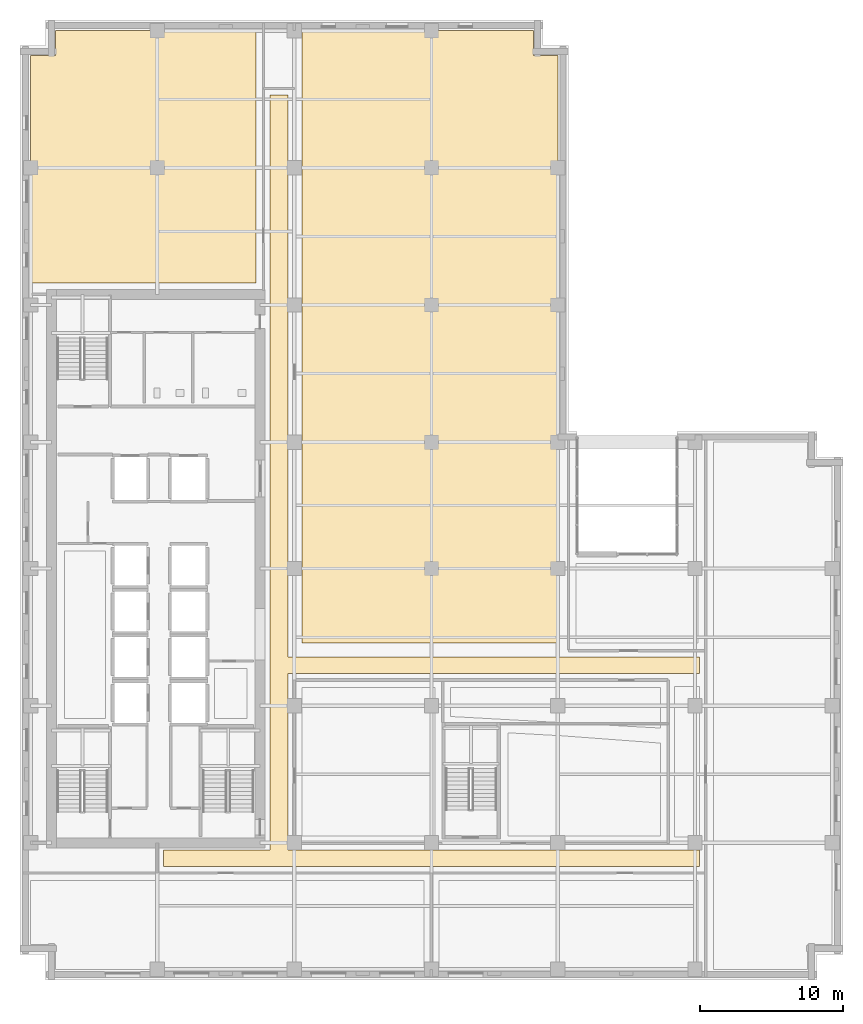
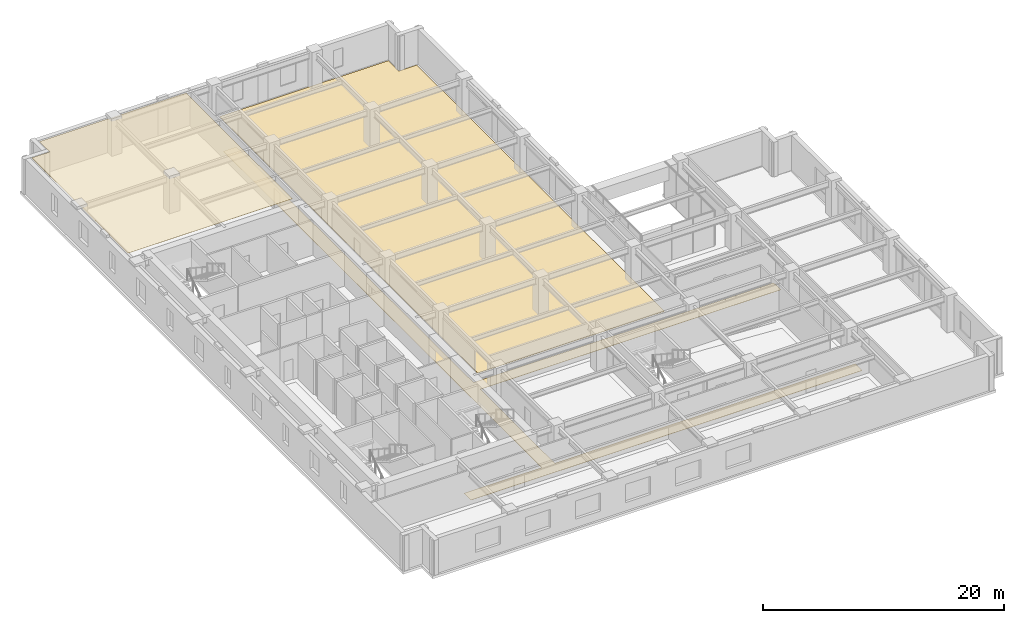
# One storey, part 13 of 14: 3 coverings.
"""IFC4 building model written with IfcOpenShell, lengths in metres."""

from ifc_helpers import new_model, si_unit, direction, frame, origin, place, context, subcontext, project, spatial, polyline, outline, extrude, material, layer, layer_set, type_object, element, save


model = new_model("IFC4")

# Units and contexts
model_context = context("Model", 3, precision=1e-05, world=origin(), true_north=direction((0.0, 1.0)))
body_context = subcontext(model_context, "Body", "Model", "MODEL_VIEW")
ifc_project = project(units=[si_unit("LENGTHUNIT", "METRE"), si_unit("AREAUNIT", "SQUARE_METRE"), si_unit("VOLUMEUNIT", "CUBIC_METRE"), si_unit("PLANEANGLEUNIT", "RADIAN"), si_unit("MASSUNIT", "GRAM", prefix="KILO")], contexts=[model_context])

# Site, building, storey
site_placement = place(None, origin())
site = spatial("IfcSite", under=ifc_project, at=site_placement, CompositionType="ELEMENT")
building_placement = place(site_placement, origin())
building = spatial("IfcBuilding", under=site, at=building_placement, Name="Norrvale University Quadrangle", CompositionType="ELEMENT")
storey_placement = place(building_placement, frame((0.0, 0.0, 116.60009765625)))
storey = spatial("IfcBuildingStorey", under=building, at=storey_placement, Name="L29", CompositionType="ELEMENT", Elevation=116.60009765625)

# Coverings
ifc_material_1 = material(Name="Perforated Acoustic Mineral Ceiling")
ifc_layer_1 = layer(ifc_material_1, 0.02490234375, Name="Perforated Acoustic Mineral Ceiling")
ifc_layer_set_1 = layer_set([ifc_layer_1], Name="Perforated Acoustic Mineral Ceiling")
covering_type_1 = type_object("IfcCoveringType", Name="Covering Acoustic Ceiling 25", PredefinedType="CEILING", material=ifc_layer_set_1)
covering_1_placement = place(storey_placement, frame((0.0, 0.0, 3.514892578125)))
element("IfcCovering", 1, at=covering_1_placement, inside=storey, type_object=covering_type_1, Name="Acoustic Ceiling RM-L29-NW01", PredefinedType="CEILING", context=body_context, shape_type="SweptSolid", body=[
    extrude(outline(polyline([(16.52001953125, 66.449951171875), (16.52001953125, 48.780029296875), (0.75, 48.780029296875), (0.75, 64.72998046875), (2.469970703125, 64.72998046875), (2.469970703125, 66.449951171875), (16.52001953125, 66.449951171875)])), origin(), (0.0, 0.0, 1.0), 0.02490234375),
])
ifc_material_2 = material(Name="Polished Terrazzo Flooring")
ifc_layer_2 = layer(ifc_material_2, 0.02490234375, Name="Polished Terrazzo Flooring")
ifc_layer_set_2 = layer_set([ifc_layer_2], Name="Polished Terrazzo Flooring")
covering_type_2 = type_object("IfcCoveringType", Name="Covering Terrazzo Floor 30", PredefinedType="FLOORING", material=ifc_layer_set_2)
covering_2_placement = place(storey_placement, origin())
element("IfcCovering", 2, at=covering_2_placement, inside=storey, type_object=covering_type_2, Name="Terrazzo Flooring RM-L29-CORR1", PredefinedType="FLOORING", context=body_context, shape_type="SweptSolid", body=[
    extrude(outline(polyline([(10.050048828125, 7.949951171875), (10.050048828125, 9.10009765625), (17.5, 9.10009765625), (17.5, 61.949951171875), (18.75, 61.949951171875), (18.75, 22.60009765625), (47.550048828125, 22.60009765625), (47.550048828125, 21.449951171875), (18.75, 21.449951171875), (18.75, 9.10009765625), (47.550048828125, 9.10009765625), (47.550048828125, 7.949951171875), (10.050048828125, 7.949951171875)])), origin(), (0.0, 0.0, 1.0), 0.02490234375),
])
covering_3_placement = place(storey_placement, origin())
element("IfcCovering", 3, at=covering_3_placement, inside=storey, type_object=covering_type_2, Name="Terrazzo Flooring RM-L29-NE01", PredefinedType="FLOORING", context=body_context, shape_type="SweptSolid", body=[
    extrude(outline(polyline([(19.72998046875, 23.580078125), (19.72998046875, 66.449951171875), (35.929931640625, 66.449951171875), (35.929931640625, 64.72998046875), (37.64990234375, 64.72998046875), (37.64990234375, 23.580078125), (19.72998046875, 23.580078125)])), origin(), (0.0, 0.0, 1.0), 0.02490234375),
])

save(model, "model.ifc")
